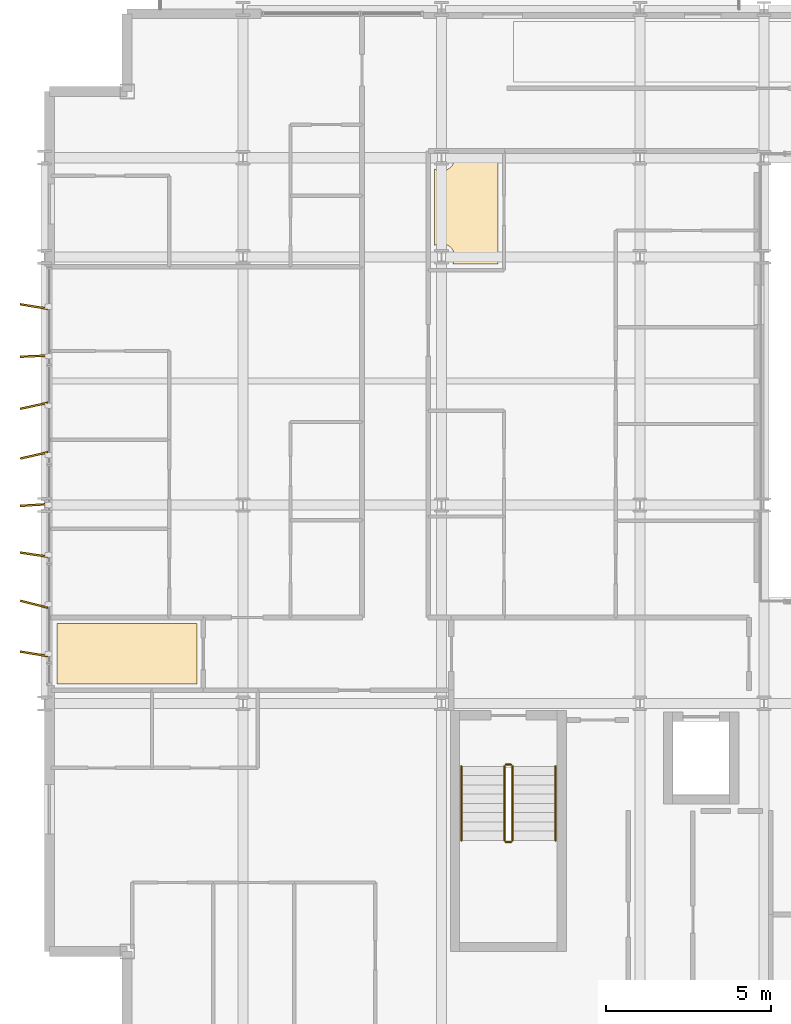
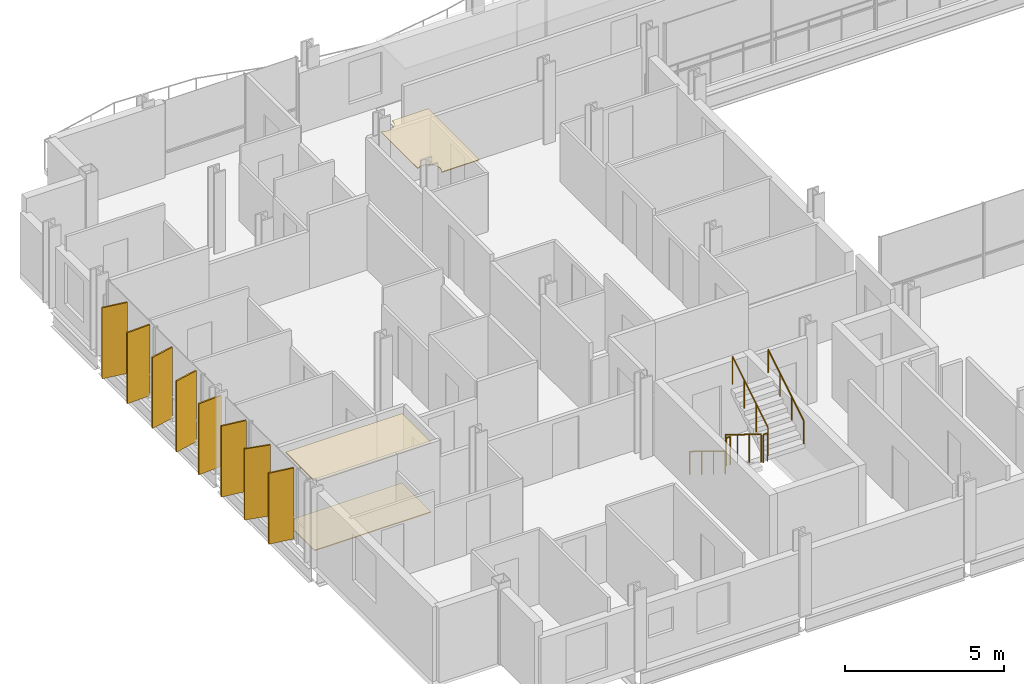
# One storey, part 35 of 38: 8 shading devices, 6 railings, 3 coverings.
"""IFC4 building model written with IfcOpenShell, lengths in metres."""

from ifc_helpers import new_model, si_unit, direction, frame, origin, origin_2d, place, context, subcontext, project, spatial, polyline, rectangle, circle, outline, extrude, material, layer, layer_set, type_object, element, save


model = new_model("IFC4")

# Units and contexts
model_context = context("Model", 3, precision=1e-05, world=origin(), true_north=direction((0.0, 1.0)))
body_context = subcontext(model_context, "Body", "Model", "MODEL_VIEW")
ifc_project = project(units=[si_unit("LENGTHUNIT", "METRE"), si_unit("AREAUNIT", "SQUARE_METRE"), si_unit("VOLUMEUNIT", "CUBIC_METRE"), si_unit("PLANEANGLEUNIT", "RADIAN"), si_unit("MASSUNIT", "GRAM", prefix="KILO")], contexts=[model_context])

# Site, building, storey
site_placement = place(None, origin())
site = spatial("IfcSite", under=ifc_project, at=site_placement, CompositionType="ELEMENT")
building_placement = place(site_placement, origin())
building = spatial("IfcBuilding", under=site, at=building_placement, Name="Brevholm Reach", CompositionType="ELEMENT")
storey_placement = place(building_placement, frame((0.0, 0.0, 71.39990234375)))
storey = spatial("IfcBuildingStorey", under=building, at=storey_placement, Name="L20", CompositionType="ELEMENT", Elevation=71.39990234375)

# Coverings
ifc_material_1 = material(Name="Moisture-Resistant Skimmed Gypsum Plasterboard Ceiling", Category="gypsum")
ifc_layer_1 = layer(ifc_material_1, 0.030029296875)
ifc_layer_set_1 = layer_set([ifc_layer_1], Name="Moisture-Resistant Skimmed Gypsum Plasterboard Ceiling")
covering_type_1 = type_object("IfcCoveringType", Name="COV-CLG-GYP", PredefinedType="CEILING", material=ifc_layer_set_1)
covering_1_placement = place(storey_placement, frame((0.0, 0.0, 2.670166015625)))
element("IfcCovering", 1, at=covering_1_placement, inside=storey, type_object=covering_type_1, Name="L20 Suspended Ceiling L20-31", PredefinedType="CEILING", context=body_context, shape_type="SweptSolid", body=[
    extrude(outline(polyline([(0.3798828125, 12.419921875), (4.615966796875, 12.419921875), (4.615966796875, 10.583984375), (0.3798828125, 10.583984375), (0.3798828125, 12.419921875)])), origin(), (0.0, 0.0, 1.0), 0.030029296875),
])
covering_2_placement = place(storey_placement, frame((0.0, 0.0, 2.670166015625)))
element("IfcCovering", 2, at=covering_2_placement, inside=storey, type_object=covering_type_1, Name="L20 Suspended Ceiling L20-51", PredefinedType="CEILING", context=body_context, shape_type="SweptSolid", body=[
    extrude(outline(polyline([(13.708984375, 23.280029296875), (12.333984375, 23.280029296875), (12.352783203125, 23.311279296875), (12.36962890625, 23.346923828125), (12.3828125, 23.3837890625), (12.392333984375, 23.422119140625), (12.398193359375, 23.460693359375), (12.39990234375, 23.5), (12.398193359375, 23.539306640625), (12.392333984375, 23.577880859375), (12.3828125, 23.6162109375), (12.36962890625, 23.653076171875), (12.352783203125, 23.688720703125), (12.33251953125, 23.72216796875), (12.30908203125, 23.75390625), (12.28271484375, 23.78271484375), (12.25390625, 23.80908203125), (12.22216796875, 23.83251953125), (12.188720703125, 23.852783203125), (12.153076171875, 23.86962890625), (12.1162109375, 23.8828125), (12.077880859375, 23.892333984375), (12.039306640625, 23.898193359375), (12.0, 23.89990234375), (11.960693359375, 23.898193359375), (11.922119140625, 23.892333984375), (11.8837890625, 23.8828125), (11.846923828125, 23.86962890625), (11.811279296875, 23.852783203125), (11.783935546875, 23.836181640625), (11.783935546875, 26.163818359375), (11.811279296875, 26.147216796875), (11.846923828125, 26.13037109375), (11.8837890625, 26.1171875), (11.922119140625, 26.107666015625), (11.960693359375, 26.101806640625), (12.0, 26.10009765625), (12.039306640625, 26.101806640625), (12.077880859375, 26.107666015625), (12.1162109375, 26.1171875), (12.153076171875, 26.13037109375), (12.188720703125, 26.147216796875), (12.22216796875, 26.16748046875), (12.25390625, 26.19091796875), (12.28271484375, 26.21728515625), (12.30908203125, 26.24609375), (12.33251953125, 26.27783203125), (12.352783203125, 26.311279296875), (12.36962890625, 26.346923828125), (12.3828125, 26.3837890625), (12.392333984375, 26.422119140625), (12.398193359375, 26.460693359375), (12.39990234375, 26.5), (12.399169921875, 26.51611328125), (13.708984375, 26.51611328125), (13.708984375, 23.280029296875)])), origin(), (0.0, 0.0, 1.0), 0.030029296875),
])
ifc_material_2 = material(Name="Honed Portland-Aggregate Resin Terrazzo Flooring", Category="concrete")
ifc_layer_2 = layer(ifc_material_2, 0.031982421875)
ifc_layer_set_2 = layer_set([ifc_layer_2], Name="Honed Portland-Aggregate Resin Terrazzo Flooring")
covering_type_2 = type_object("IfcCoveringType", Name="COV-FLR-TRZ", PredefinedType="FLOORING", material=ifc_layer_set_2)
covering_3_placement = place(storey_placement, origin())
element("IfcCovering", 3, at=covering_3_placement, inside=storey, type_object=covering_type_2, Name="L20 Floor Finish L20-31", PredefinedType="FLOORING", context=body_context, shape_type="SweptSolid", body=[
    extrude(outline(polyline([(0.3798828125, 12.419921875), (4.615966796875, 12.419921875), (4.615966796875, 10.583984375), (0.3798828125, 10.583984375), (0.3798828125, 12.419921875)])), origin(), (0.0, 0.0, 1.0), 0.031982421875),
])

# Railings
ifc_material_3 = material(Name="Brushed Stainless Steel EN 1.4401 Continuous Handrail", Category="steel")
railing_type_1 = type_object("IfcRailingType", Name="RAL-HND-950", PredefinedType="HANDRAIL", material=ifc_material_3)
railing_1_placement = place(storey_placement, frame((12.60009765625, 8.10009765625, 0.17236328125)))
element("IfcRailing", 4, at=railing_1_placement, inside=storey, type_object=railing_type_1, Name="L20 ST-1 stair handrail 1", PredefinedType="HANDRAIL", context=body_context, shape_type="SweptSolid", body=[
    extrude(circle(Radius=0.02392578125, at=origin_2d()), frame((0.0, 0.0, 0.8857421875), z_axis=(0.0, -0.85178898068, 0.523885037382), x_axis=(1.0, 0.0, 0.0)), (0.0, 0.0, 1.0), 2.629638671875),
    extrude(circle(Radius=0.02099609375, at=origin_2d()), origin(), (0.0, 0.0, 1.0), 0.86181640625),
    extrude(circle(Radius=0.02099609375, at=origin_2d()), frame((0.0, -0.74658203125, 0.459228515625)), (0.0, 0.0, 1.0), 0.86181640625),
    extrude(circle(Radius=0.02099609375, at=origin_2d()), frame((0.0, -1.493408203125, 0.91845703125)), (0.0, 0.0, 1.0), 0.86181640625),
    extrude(circle(Radius=0.02099609375, at=origin_2d()), frame((0.0, -2.239990234375, 1.377685546875)), (0.0, 0.0, 1.0), 0.86181640625),
])
railing_2_placement = place(storey_placement, frame((15.449951171875, 5.860107421875, 1.722412109375)))
element("IfcRailing", 5, at=railing_2_placement, inside=storey, type_object=railing_type_1, Name="L20 ST-1 stair handrail 2", PredefinedType="HANDRAIL", context=body_context, shape_type="SweptSolid", body=[
    extrude(circle(Radius=0.02392578125, at=origin_2d()), frame((0.0, 0.0, 0.8857421875), z_axis=(0.0, 0.85178898068, 0.523885037382), x_axis=(-1.0, 0.0, 0.0)), (0.0, 0.0, 1.0), 2.629638671875),
    extrude(circle(Radius=0.02099609375, at=origin_2d()), origin(), (0.0, 0.0, 1.0), 0.86181640625),
    extrude(circle(Radius=0.02099609375, at=origin_2d()), frame((0.0, 0.74658203125, 0.459228515625)), (0.0, 0.0, 1.0), 0.86181640625),
    extrude(circle(Radius=0.02099609375, at=origin_2d()), frame((0.0, 1.493408203125, 0.91845703125)), (0.0, 0.0, 1.0), 0.86181640625),
    extrude(circle(Radius=0.02099609375, at=origin_2d()), frame((0.0, 2.239990234375, 1.377685546875)), (0.0, 0.0, 1.0), 0.86181640625),
])
ifc_material_4 = material(Name="Painted Tubular Galvanised Steel S275JR Stair Guard", Category="steel")
railing_type_2 = type_object("IfcRailingType", Name="RAL-STG-1120", PredefinedType="BALUSTRADE", material=ifc_material_4)
railing_3_placement = place(storey_placement, frame((13.89990234375, 8.10009765625, 0.17236328125)))
element("IfcRailing", 6, at=railing_3_placement, inside=storey, type_object=railing_type_2, Name="L20 ST-1 stair guard 1", PredefinedType="BALUSTRADE", context=body_context, shape_type="SweptSolid", body=[
    extrude(circle(Radius=0.02392578125, at=origin_2d()), frame((0.0, 0.0, 1.076171875), z_axis=(0.0, -0.85178898068, 0.523885037382), x_axis=(1.0, 0.0, 0.0)), (0.0, 0.0, 1.0), 2.629638671875),
    extrude(circle(Radius=0.02099609375, at=origin_2d()), origin(), (0.0, 0.0, 1.0), 1.052001953125),
    extrude(circle(Radius=0.02099609375, at=origin_2d()), frame((0.0, -0.74658203125, 0.459228515625)), (0.0, 0.0, 1.0), 1.052001953125),
    extrude(circle(Radius=0.02099609375, at=origin_2d()), frame((0.0, -1.493408203125, 0.91845703125)), (0.0, 0.0, 1.0), 1.052001953125),
    extrude(circle(Radius=0.02099609375, at=origin_2d()), frame((0.0, -2.239990234375, 1.377685546875)), (0.0, 0.0, 1.0), 1.052001953125),
])
railing_4_placement = place(storey_placement, frame((13.949951171875, 5.81005859375, 1.550048828125)))
element("IfcRailing", 7, at=railing_4_placement, inside=storey, type_object=railing_type_2, Name="L20 ST-1 stair guard 2", PredefinedType="BALUSTRADE", context=body_context, shape_type="SweptSolid", body=[
    extrude(circle(Radius=0.02392578125, at=origin_2d()), frame((0.0, 0.0, 1.076171875), z_axis=(1.0, 0.0, 0.0), x_axis=(0.0, 1.0, 0.0)), (0.0, 0.0, 1.0), 0.150146484375),
    extrude(circle(Radius=0.02099609375, at=origin_2d()), origin(), (0.0, 0.0, 1.0), 1.052001953125),
    extrude(circle(Radius=0.02099609375, at=origin_2d()), frame((0.150146484375, 0.0, 0.0)), (0.0, 0.0, 1.0), 1.052001953125),
])
railing_5_placement = place(storey_placement, frame((14.14990234375, 5.860107421875, 1.722412109375)))
element("IfcRailing", 8, at=railing_5_placement, inside=storey, type_object=railing_type_2, Name="L20 ST-1 stair guard 3", PredefinedType="BALUSTRADE", context=body_context, shape_type="SweptSolid", body=[
    extrude(circle(Radius=0.02392578125, at=origin_2d()), frame((0.0, 0.0, 1.076171875), z_axis=(0.0, 0.85178898068, 0.523885037382), x_axis=(-1.0, 0.0, 0.0)), (0.0, 0.0, 1.0), 2.629638671875),
    extrude(circle(Radius=0.02099609375, at=origin_2d()), origin(), (0.0, 0.0, 1.0), 1.052001953125),
    extrude(circle(Radius=0.02099609375, at=origin_2d()), frame((0.0, 0.74658203125, 0.459228515625)), (0.0, 0.0, 1.0), 1.052001953125),
    extrude(circle(Radius=0.02099609375, at=origin_2d()), frame((0.0, 1.493408203125, 0.91845703125)), (0.0, 0.0, 1.0), 1.052001953125),
    extrude(circle(Radius=0.02099609375, at=origin_2d()), frame((0.0, 2.239990234375, 1.377685546875)), (0.0, 0.0, 1.0), 1.052001953125),
])
railing_6_placement = place(storey_placement, frame((13.949951171875, 8.14990234375, 0.0)))
element("IfcRailing", 9, at=railing_6_placement, inside=storey, type_object=railing_type_2, Name="L20 ST-1 stair guard 4", PredefinedType="BALUSTRADE", context=body_context, shape_type="SweptSolid", body=[
    extrude(circle(Radius=0.02392578125, at=origin_2d()), frame((0.0, 0.0, 1.076171875), z_axis=(1.0, 0.0, 0.0), x_axis=(0.0, 1.0, 0.0)), (0.0, 0.0, 1.0), 0.150146484375),
    extrude(circle(Radius=0.02099609375, at=origin_2d()), origin(), (0.0, 0.0, 1.0), 1.052001953125),
    extrude(circle(Radius=0.02099609375, at=origin_2d()), frame((0.150146484375, 0.0, 0.0)), (0.0, 0.0, 1.0), 1.052001953125),
])

# Shading devices
ifc_material_5 = material(Name="Perforated Champagne-Bronze Anodised Aluminium", Category="aluminium")
ifc_layer_3 = layer(ifc_material_5, 0.054931640625)
ifc_layer_set_3 = layer_set([ifc_layer_3], Name="Perforated Champagne-Bronze Anodised Aluminium")
shading_device_type = type_object("IfcShadingDeviceType", Name="SHD-FIN-850", PredefinedType="USERDEFINED", material=ifc_layer_set_3)
for number, where, z_axis, x_axis, name in (
    (10, (-0.31494140625, 11.5, 0.070068359375), (0.0, 0.0, 1.0), (-0.987141845378, 0.159846730038, 0.0), "L20 Perforated Solar Screen Fin 1"),
    (11, (-0.31494140625, 13.0, 0.070068359375), (0.0, 0.0, 1.0), (-0.970350591637, 0.241701736258, 0.0), "L20 Perforated Solar Screen Fin 2"),
    (12, (-0.31494140625, 14.5, 0.070068359375), (0.0, 0.0, 1.0), (-0.989668910365, 0.143371712195, 0.0), "L20 Perforated Solar Screen Fin 3"),
    (13, (-0.31494140625, 16.0, 0.070068359375), (0.0, 0.0, 1.0), (-0.997907726716, -0.064654226163, 0.0), "L20 Perforated Solar Screen Fin 4"),
    (14, (-0.31494140625, 17.5, 0.070068359375), (0.0, 0.0, 1.0), (-0.974893501844, -0.222671641801, 0.0), "L20 Perforated Solar Screen Fin 5"),
    (15, (-0.31494140625, 19.0, 0.070068359375), (0.0, 0.0, 1.0), (-0.9769078017, -0.213661290314, 0.0), "L20 Perforated Solar Screen Fin 6"),
    (16, (-0.31494140625, 20.5, 0.070068359375), (0.0, 0.0, 1.0), (-0.999035235474, -0.043915809015, 0.0), "L20 Perforated Solar Screen Fin 7"),
    (17, (-0.31494140625, 22.0, 0.070068359375), (0.0, 0.0, 1.0), (-0.987141845378, 0.159846730038, 0.0), "L20 Perforated Solar Screen Fin 8"),
):
    element("IfcShadingDevice", number, at=place(storey_placement, frame(where, z_axis=z_axis, x_axis=x_axis)), inside=storey, type_object=shading_device_type, Name=name, ObjectType="SCREEN", PredefinedType="USERDEFINED", context=body_context, shape_type="SweptSolid", body=[
        extrude(rectangle(XDim=0.85009765625, YDim=0.054931640625, at=origin_2d()), origin(), (0.0, 0.0, 1.0), 2.72998046875),
    ])

save(model, "model.ifc")
